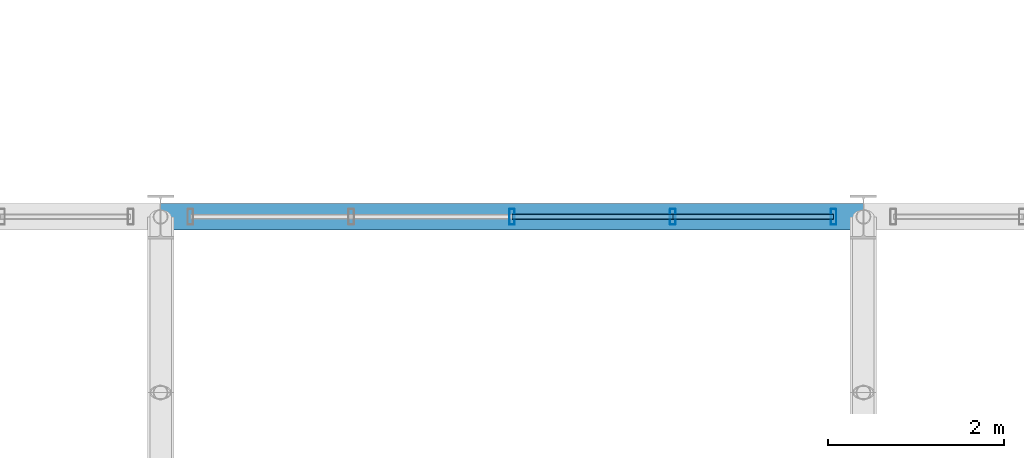
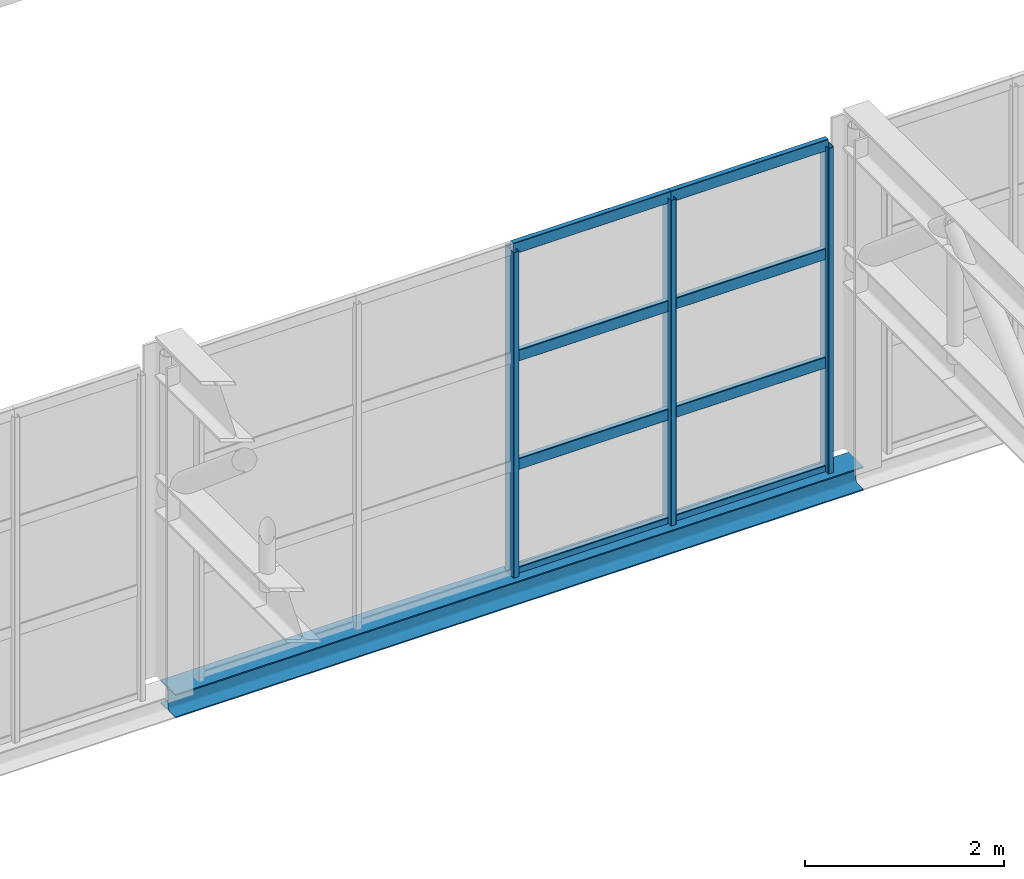
# One storey, part 32 of 67: 11 members, 1 beam, 1 element without a shape of its own.
"""IFC4 building model written with IfcOpenShell, lengths in metres."""

import ifcopenshell
import ifcopenshell.guid

model = None  # the IFC model being written
_history = None  # IfcOwnerHistory: only IFC2X3 demands one
_inside = {}  # id of a spatial element -> (the spatial element, [elements in it])
_under = {}  # id of a project, library or spatial element -> (it, [spatial elements below it])
_declared = {}  # id of a project -> (the project, [libraries it declares])
_typed = {}  # id of a type object -> (the type object, [elements of that type])
_made_of = {}  # id of a material, layer set ... -> (it, [elements and type objects made of it])


def new_model(schema):
    """Start an empty IFC model of exactly this schema.

    Asked for "IFC4X3", IfcOpenShell would pick the latest addendum, in which some entities
    have other attributes; the version numbers below select the first issue.
    IFC2X3 requires an IfcOwnerHistory on every rooted entity: one is made here for all.
    """
    global model, _history
    if schema == "IFC4X3":
        model = ifcopenshell.file(schema_version=(4, 3, 0, 0))
    else:
        model = ifcopenshell.file(schema=schema)
    _inside.clear()
    _under.clear()
    _declared.clear()
    _typed.clear()
    _made_of.clear()
    _history = None
    if model.schema == "IFC2X3":
        org = make("IfcOrganization", Name="unknown")
        user = make(
            "IfcPersonAndOrganization",
            ThePerson=make("IfcPerson", FamilyName="unknown"),
            TheOrganization=org,
        )
        app = make(
            "IfcApplication",
            ApplicationDeveloper=org,
            Version="unknown",
            ApplicationFullName="unknown",
            ApplicationIdentifier="unknown",
        )
        _history = make(
            "IfcOwnerHistory",
            OwningUser=user,
            OwningApplication=app,
            ChangeAction="ADDED",
            CreationDate=0,
        )
    return model


def make(cls, **values):
    """One entity of the class cls with the attributes given. An attribute that is None is left unset."""
    return model.create_entity(
        cls, **{name: value for name, value in values.items() if value is not None}
    )


def rooted(cls, **values):
    """An entity with a GlobalId (a new one), such as an element, a storey or a relation."""
    return make(cls, GlobalId=ifcopenshell.guid.new(), OwnerHistory=_history, **values)


def si_unit(unit_type, name, prefix=None):
    """IfcSIUnit, for example si_unit("LENGTHUNIT", "METRE", prefix="MILLI")."""
    return make("IfcSIUnit", UnitType=unit_type, Prefix=prefix, Name=name)


def derived_unit(unit_type, elements):
    """IfcDerivedUnit: a product of units, each with its exponent."""
    return make(
        "IfcDerivedUnit",
        Elements=[
            make("IfcDerivedUnitElement", Unit=unit, Exponent=power)
            for unit, power in elements
        ],
        UnitType=unit_type,
    )


def assignment(units):
    """IfcUnitAssignment: the units of a project."""
    return None if units is None else make("IfcUnitAssignment", Units=units)


def point(xyz):
    """IfcCartesianPoint."""
    return None if xyz is None else make("IfcCartesianPoint", Coordinates=xyz)


def direction(xyz):
    """IfcDirection."""
    return None if xyz is None else make("IfcDirection", DirectionRatios=xyz)


def frame(location, z_axis=None, x_axis=None):
    """IfcAxis2Placement3D, a coordinate frame: its origin and axes. An axis left out is left unset."""
    return make(
        "IfcAxis2Placement3D",
        Location=point(location),
        Axis=direction(z_axis),
        RefDirection=direction(x_axis),
    )


def frame_2d(location, x_axis=None):
    """IfcAxis2Placement2D, a coordinate frame in the plane: its origin and x axis."""
    return make(
        "IfcAxis2Placement2D", Location=point(location), RefDirection=direction(x_axis)
    )


def origin():
    """The frame at (0, 0, 0) with its axes left unset."""
    return frame((0.0, 0.0, 0.0))


def origin_2d():
    """The frame at (0, 0) in the plane with its x axis left unset."""
    return frame_2d((0.0, 0.0))


def place(relative_to, where):
    """IfcLocalPlacement: puts the frame where relative to a parent placement (None: the world)."""
    return make(
        "IfcLocalPlacement", PlacementRelTo=relative_to, RelativePlacement=where
    )


def context(
    kind, dimensions, precision=None, world=None, true_north=None, identifier=None
):
    """IfcGeometricRepresentationContext, for example the 3D "Model" context."""
    return make(
        "IfcGeometricRepresentationContext",
        ContextIdentifier=identifier,
        ContextType=kind,
        CoordinateSpaceDimension=dimensions,
        Precision=precision,
        WorldCoordinateSystem=world,
        TrueNorth=true_north,
    )


def subcontext(parent, identifier, kind, view, scale=None):
    """IfcGeometricRepresentationSubContext, for example "Body" below "Model"."""
    return make(
        "IfcGeometricRepresentationSubContext",
        ContextIdentifier=identifier,
        ContextType=kind,
        ParentContext=parent,
        TargetScale=scale,
        TargetView=view,
    )


def project(units=None, contexts=None):
    """IfcProject with its units and contexts."""
    return rooted(
        "IfcProject",
        Name="project",
        RepresentationContexts=contexts,
        UnitsInContext=assignment(units),
    )


def spatial(cls, under=None, at=None, **own):
    """A site, building, storey or space (cls), placed at a placement, below another one or the project."""
    s = rooted(cls, ObjectPlacement=at, **own)
    if under is not None:
        _under.setdefault(under.id(), (under, []))[1].append(s)
    return s


def profile(cls, at=None, kind="AREA", **sizes):
    """A parametric profile (cls). Its sizes go by their IFC names, for example OverallWidth=200.0."""
    return make(cls, ProfileType=kind, Position=at, **sizes)


def hollow_rectangle(**sizes):
    """IfcRectangleHollowProfileDef."""
    return profile("IfcRectangleHollowProfileDef", **sizes)


def i_section(**sizes):
    """IfcIShapeProfileDef."""
    return profile("IfcIShapeProfileDef", **sizes)


def extrude(swept, where, along, depth):
    """IfcExtrudedAreaSolid: the profile swept, set in the frame where, extruded along a direction by depth."""
    return make(
        "IfcExtrudedAreaSolid",
        SweptArea=swept,
        Position=where,
        ExtrudedDirection=direction(along),
        Depth=depth,
    )


def shape(context_of_items, identifier, shape_type, items):
    """IfcShapeRepresentation: the items that make up one representation, for example the "Body"."""
    return make(
        "IfcShapeRepresentation",
        ContextOfItems=context_of_items,
        RepresentationIdentifier=identifier,
        RepresentationType=shape_type,
        Items=items,
    )


def material(Name=None, Category=None):
    """IfcMaterial."""
    return make("IfcMaterial", Name=Name, Category=Category)


def material_profile(
    of_material, cross_section, Name=None, Category=None, Priority=None
):
    """IfcMaterialProfile: a cross section and its material."""
    return make(
        "IfcMaterialProfile",
        Name=Name,
        Material=of_material,
        Profile=cross_section,
        Priority=Priority,
        Category=Category,
    )


def profile_set(profiles, Name=None, composite=None):
    """IfcMaterialProfileSet."""
    return make(
        "IfcMaterialProfileSet",
        Name=Name,
        MaterialProfiles=profiles,
        CompositeProfile=composite,
    )


def made_of(thing, what):
    """Note that an element or type object is made of a material, layer set ...; save() writes the relation."""
    if what is not None:
        _made_of.setdefault(what.id(), (what, []))[1].append(thing)
    return thing


def type_object(cls, material=None, **own):
    """A type object (cls), such as IfcWallType, which elements share."""
    return made_of(rooted(cls, **own), material)


def element(
    cls,
    number,
    at=None,
    inside=None,
    cuts=None,
    type_object=None,
    material=None,
    context=None,
    identifier="Body",
    shape_type=None,
    held_by="IfcProductDefinitionShape",
    body=None,
    shapes=None,
    **own,
):
    """One element of the class cls, such as IfcWall. Its Tag is "e" and its number.

    at: its placement. inside: the storey or other place that contains it. cuts: it is an
    opening in that element (IfcRelVoidsElement). A single representation is given by context,
    identifier, shape_type and body (its items); several are given by shapes. held_by: the class
    of the entity that holds the representations. save() writes the other relations.
    """
    e = rooted(cls, Tag="e%d" % number, ObjectPlacement=at, **own)
    if body is not None:
        shapes = [shape(context, identifier, shape_type, body)]
    if shapes is not None:
        e.Representation = make(held_by, Representations=shapes)
    if inside is not None:
        _inside.setdefault(inside.id(), (inside, []))[1].append(e)
    if cuts is not None:
        rooted(
            "IfcRelVoidsElement", RelatingBuildingElement=cuts, RelatedOpeningElement=e
        )
    if type_object is not None:
        _typed.setdefault(type_object.id(), (type_object, []))[1].append(e)
    return made_of(e, material)


def aggregate(whole, parts):
    """IfcRelAggregates: a whole, such as a stair, and the parts it consists of."""
    return rooted("IfcRelAggregates", RelatingObject=whole, RelatedObjects=parts)


def save(model, path):
    """Write the relations noted so far, then the file.

    IfcRelAggregates (storeys below a building ...), IfcRelContainedInSpatialStructure (elements
    in a storey), IfcRelDefinesByType, IfcRelAssociatesMaterial and IfcRelDeclares: one each for
    every whole, place, type object, material and project.
    """
    for whole, parts in _under.values():
        aggregate(whole, parts)
    for where, things in _inside.values():
        rooted(
            "IfcRelContainedInSpatialStructure",
            RelatedElements=things,
            RelatingStructure=where,
        )
    for kind, things in _typed.values():
        rooted("IfcRelDefinesByType", RelatedObjects=things, RelatingType=kind)
    for what, things in _made_of.values():
        rooted("IfcRelAssociatesMaterial", RelatedObjects=things, RelatingMaterial=what)
    for by, libraries in _declared.values():
        rooted("IfcRelDeclares", RelatingContext=by, RelatedDefinitions=libraries)
    model.write(path)


model = new_model("IFC4")

# Units and contexts
model_context = context("Model", 3, precision=1e-05, world=origin(), true_north=direction((0.0, 1.0)))
body_context = subcontext(model_context, "Body", "Model", "MODEL_VIEW")
ifc_project = project(units=[si_unit("LENGTHUNIT", "METRE"), si_unit("AREAUNIT", "SQUARE_METRE"), si_unit("VOLUMEUNIT", "CUBIC_METRE"), si_unit("PLANEANGLEUNIT", "RADIAN"), si_unit("MASSUNIT", "GRAM", prefix="KILO"), derived_unit("THERMALTRANSMITTANCEUNIT", [(si_unit("POWERUNIT", "WATT"), 1), (si_unit("LENGTHUNIT", "METRE"), -2), (si_unit("THERMODYNAMICTEMPERATUREUNIT", "KELVIN"), -1)])], contexts=[model_context])

# Site, building, storey
site_placement = place(None, origin())
site = spatial("IfcSite", under=ifc_project, at=site_placement, CompositionType="ELEMENT")
building_placement = place(site_placement, origin())
building = spatial("IfcBuilding", under=site, at=building_placement, Name="Keldorne Ridge Multi-Sports Centre", CompositionType="ELEMENT")
storey_placement = place(building_placement, frame((0.0, 0.0, 14.0)))
storey = spatial("IfcBuildingStorey", under=building, at=storey_placement, Name="L03", CompositionType="ELEMENT", Elevation=14.0)

# Beam
ifc_material_1 = material(Name="Steel S355", Category="steel")
ifc_material_profile_1 = material_profile(ifc_material_1, i_section(OverallWidth=0.300048828125, OverallDepth=0.2900390625, WebThickness=0.008544921875, FlangeThickness=0.013916015625, FilletRadius=0.027099609375, at=origin_2d()), Name="HEA 300")
ifc_profile_set_1 = profile_set([ifc_material_profile_1], Name="Steel S355")
beam_type = type_object("IfcBeamType", Name="BM-SP-04", PredefinedType="SPANDREL", material=ifc_profile_set_1)
beam_placement = place(storey_placement, frame((128.0, 54.0, -0.14990234375), z_axis=(1.0, 0.0, 0.0), x_axis=(0.0, 1.0, 0.0)))
element("IfcBeam", 1, at=beam_placement, inside=storey, type_object=beam_type, Name="Stacked Courts spandrel L03.54.4", PredefinedType="SPANDREL", context=body_context, shape_type="SweptSolid", body=[
    extrude(i_section(OverallWidth=0.300048828125, OverallDepth=0.2900390625, WebThickness=0.008544921875, FlangeThickness=0.013916015625, FilletRadius=0.027099609375, at=origin_2d()), origin(), (0.0, 0.0, 1.0), 8.0),
])

# Curtain wall, members
ifc_material_2 = material(Name="Anodized aluminium", Category="aluminium")
curtain_wall_type = type_object("IfcCurtainWallType", Name="CW-CW-08", PredefinedType="NOTDEFINED", material=ifc_material_2)
curtain_wall_placement = place(storey_placement, origin())
curtain_wall = element("IfcCurtainWall", 2, at=curtain_wall_placement, inside=storey, type_object=curtain_wall_type, Name="Upper Courts north clerestory 112", PredefinedType="NOTDEFINED")
ifc_material_profile_2 = material_profile(ifc_material_2, hollow_rectangle(XDim=0.06494140625, YDim=0.179931640625, WallThickness=0.00439453125, InnerFilletRadius=0.00439453125, OuterFilletRadius=0.009033203125, at=origin_2d()), Name="ALU MULLION 180x65x4.5")
ifc_profile_set_2 = profile_set([ifc_material_profile_2], Name="Anodized aluminium")
member_type_1 = type_object("IfcMemberType", Name="MEM-ML-01", PredefinedType="MULLION", material=ifc_profile_set_2)
member_1_placement = place(storey_placement, frame((135.659912109375, 54.0, 0.0), z_axis=(0.0, 0.0, 1.0), x_axis=(1.0, 0.0, 0.0)))
member_1 = element("IfcMember", 3, at=member_1_placement, type_object=member_type_1, Name="CW-112 vertical mullion 1", PredefinedType="MULLION", context=body_context, shape_type="SweptSolid", body=[
    extrude(hollow_rectangle(XDim=0.06494140625, YDim=0.179931640625, WallThickness=0.00439453125, InnerFilletRadius=0.00439453125, OuterFilletRadius=0.009033203125, at=origin_2d()), origin(), (0.0, 0.0, 1.0), 4.0),
])
member_2_placement = place(storey_placement, frame((133.830078125, 54.0, 0.0), z_axis=(0.0, 0.0, 1.0), x_axis=(1.0, 0.0, 0.0)))
member_2 = element("IfcMember", 4, at=member_2_placement, type_object=member_type_1, Name="CW-112 vertical mullion 2", PredefinedType="MULLION", context=body_context, shape_type="SweptSolid", body=[
    extrude(hollow_rectangle(XDim=0.06494140625, YDim=0.179931640625, WallThickness=0.00439453125, InnerFilletRadius=0.00439453125, OuterFilletRadius=0.009033203125, at=origin_2d()), origin(), (0.0, 0.0, 1.0), 4.0),
])
member_3_placement = place(storey_placement, frame((132.0, 54.0, 0.0), z_axis=(0.0, 0.0, 1.0), x_axis=(1.0, 0.0, 0.0)))
member_3 = element("IfcMember", 5, at=member_3_placement, type_object=member_type_1, Name="CW-112 vertical mullion 3", PredefinedType="MULLION", context=body_context, shape_type="SweptSolid", body=[
    extrude(hollow_rectangle(XDim=0.06494140625, YDim=0.179931640625, WallThickness=0.00439453125, InnerFilletRadius=0.00439453125, OuterFilletRadius=0.009033203125, at=origin_2d()), origin(), (0.0, 0.0, 1.0), 4.0),
])
ifc_material_profile_3 = material_profile(ifc_material_2, hollow_rectangle(XDim=0.06494140625, YDim=0.139892578125, WallThickness=0.00439453125, InnerFilletRadius=0.00439453125, OuterFilletRadius=0.009033203125, at=origin_2d()), Name="ALU TRANSOM 140x65x4.5")
ifc_profile_set_3 = profile_set([ifc_material_profile_3], Name="Anodized aluminium")
member_type_2 = type_object("IfcMemberType", Name="MEM-TR-01", PredefinedType="USERDEFINED", material=ifc_profile_set_3)
member_4_placement = place(storey_placement, frame((135.659912109375, 54.0, 0.0), z_axis=(-1.0, 0.0, 0.0), x_axis=(0.0, -1.0, 0.0)))
member_4 = element("IfcMember", 6, at=member_4_placement, type_object=member_type_2, Name="CW-112 transom 1.1", ObjectType="TRANSOM", PredefinedType="USERDEFINED", context=body_context, shape_type="SweptSolid", body=[
    extrude(hollow_rectangle(XDim=0.06494140625, YDim=0.139892578125, WallThickness=0.00439453125, InnerFilletRadius=0.00439453125, OuterFilletRadius=0.009033203125, at=origin_2d()), origin(), (0.0, 0.0, 1.0), 1.829833984375),
])
member_5_placement = place(storey_placement, frame((135.659912109375, 54.0, 1.333251953125), z_axis=(-1.0, 0.0, 0.0), x_axis=(0.0, -1.0, 0.0)))
member_5 = element("IfcMember", 7, at=member_5_placement, type_object=member_type_2, Name="CW-112 transom 1.2", ObjectType="TRANSOM", PredefinedType="USERDEFINED", context=body_context, shape_type="SweptSolid", body=[
    extrude(hollow_rectangle(XDim=0.06494140625, YDim=0.139892578125, WallThickness=0.00439453125, InnerFilletRadius=0.00439453125, OuterFilletRadius=0.009033203125, at=origin_2d()), origin(), (0.0, 0.0, 1.0), 1.829833984375),
])
member_6_placement = place(storey_placement, frame((135.659912109375, 54.0, 2.666748046875), z_axis=(-1.0, 0.0, 0.0), x_axis=(0.0, -1.0, 0.0)))
member_6 = element("IfcMember", 8, at=member_6_placement, type_object=member_type_2, Name="CW-112 transom 1.3", ObjectType="TRANSOM", PredefinedType="USERDEFINED", context=body_context, shape_type="SweptSolid", body=[
    extrude(hollow_rectangle(XDim=0.06494140625, YDim=0.139892578125, WallThickness=0.00439453125, InnerFilletRadius=0.00439453125, OuterFilletRadius=0.009033203125, at=origin_2d()), origin(), (0.0, 0.0, 1.0), 1.829833984375),
])
member_7_placement = place(storey_placement, frame((135.659912109375, 54.0, 4.0), z_axis=(-1.0, 0.0, 0.0), x_axis=(0.0, -1.0, 0.0)))
member_7 = element("IfcMember", 9, at=member_7_placement, type_object=member_type_2, Name="CW-112 transom 1.4", ObjectType="TRANSOM", PredefinedType="USERDEFINED", context=body_context, shape_type="SweptSolid", body=[
    extrude(hollow_rectangle(XDim=0.06494140625, YDim=0.139892578125, WallThickness=0.00439453125, InnerFilletRadius=0.00439453125, OuterFilletRadius=0.009033203125, at=origin_2d()), origin(), (0.0, 0.0, 1.0), 1.829833984375),
])
member_8_placement = place(storey_placement, frame((133.830078125, 54.0, 0.0), z_axis=(-1.0, 0.0, 0.0), x_axis=(0.0, -1.0, 0.0)))
member_8 = element("IfcMember", 10, at=member_8_placement, type_object=member_type_2, Name="CW-112 transom 2.1", ObjectType="TRANSOM", PredefinedType="USERDEFINED", context=body_context, shape_type="SweptSolid", body=[
    extrude(hollow_rectangle(XDim=0.06494140625, YDim=0.139892578125, WallThickness=0.00439453125, InnerFilletRadius=0.00439453125, OuterFilletRadius=0.009033203125, at=origin_2d()), origin(), (0.0, 0.0, 1.0), 1.830078125),
])
member_9_placement = place(storey_placement, frame((133.830078125, 54.0, 1.333251953125), z_axis=(-1.0, 0.0, 0.0), x_axis=(0.0, -1.0, 0.0)))
member_9 = element("IfcMember", 11, at=member_9_placement, type_object=member_type_2, Name="CW-112 transom 2.2", ObjectType="TRANSOM", PredefinedType="USERDEFINED", context=body_context, shape_type="SweptSolid", body=[
    extrude(hollow_rectangle(XDim=0.06494140625, YDim=0.139892578125, WallThickness=0.00439453125, InnerFilletRadius=0.00439453125, OuterFilletRadius=0.009033203125, at=origin_2d()), origin(), (0.0, 0.0, 1.0), 1.830078125),
])
member_10_placement = place(storey_placement, frame((133.830078125, 54.0, 2.666748046875), z_axis=(-1.0, 0.0, 0.0), x_axis=(0.0, -1.0, 0.0)))
member_10 = element("IfcMember", 12, at=member_10_placement, type_object=member_type_2, Name="CW-112 transom 2.3", ObjectType="TRANSOM", PredefinedType="USERDEFINED", context=body_context, shape_type="SweptSolid", body=[
    extrude(hollow_rectangle(XDim=0.06494140625, YDim=0.139892578125, WallThickness=0.00439453125, InnerFilletRadius=0.00439453125, OuterFilletRadius=0.009033203125, at=origin_2d()), origin(), (0.0, 0.0, 1.0), 1.830078125),
])
member_11_placement = place(storey_placement, frame((133.830078125, 54.0, 4.0), z_axis=(-1.0, 0.0, 0.0), x_axis=(0.0, -1.0, 0.0)))
member_11 = element("IfcMember", 13, at=member_11_placement, type_object=member_type_2, Name="CW-112 transom 2.4", ObjectType="TRANSOM", PredefinedType="USERDEFINED", context=body_context, shape_type="SweptSolid", body=[
    extrude(hollow_rectangle(XDim=0.06494140625, YDim=0.139892578125, WallThickness=0.00439453125, InnerFilletRadius=0.00439453125, OuterFilletRadius=0.009033203125, at=origin_2d()), origin(), (0.0, 0.0, 1.0), 1.830078125),
])
aggregate(curtain_wall, [member_1, member_2, member_3, member_4, member_5, member_6, member_7, member_8, member_9, member_10, member_11])

save(model, "model.ifc")
